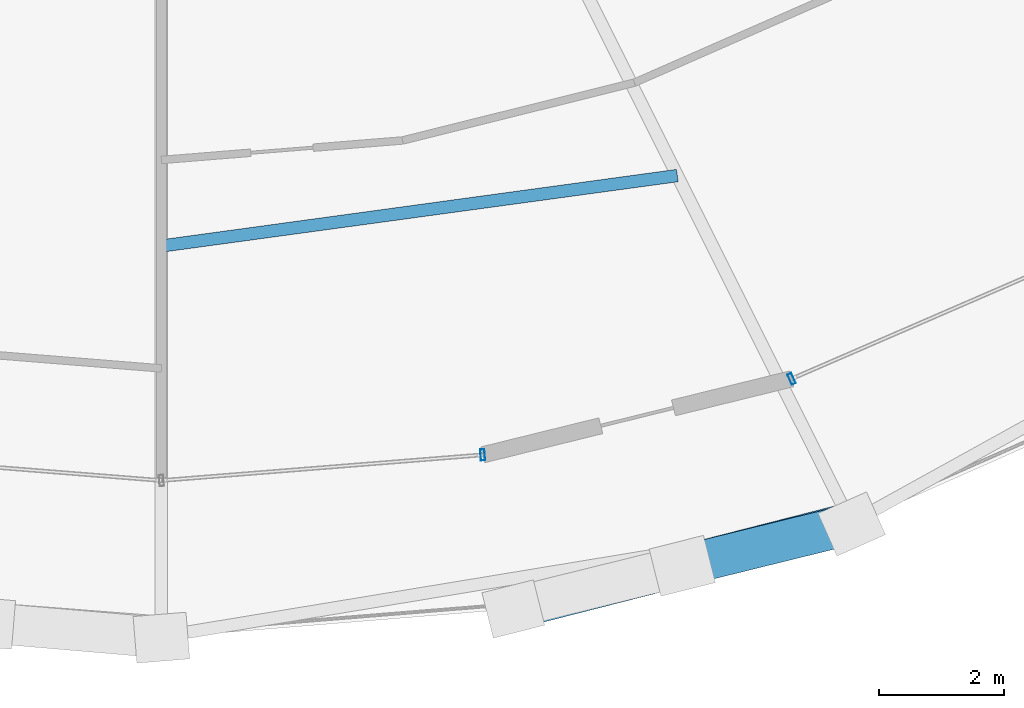
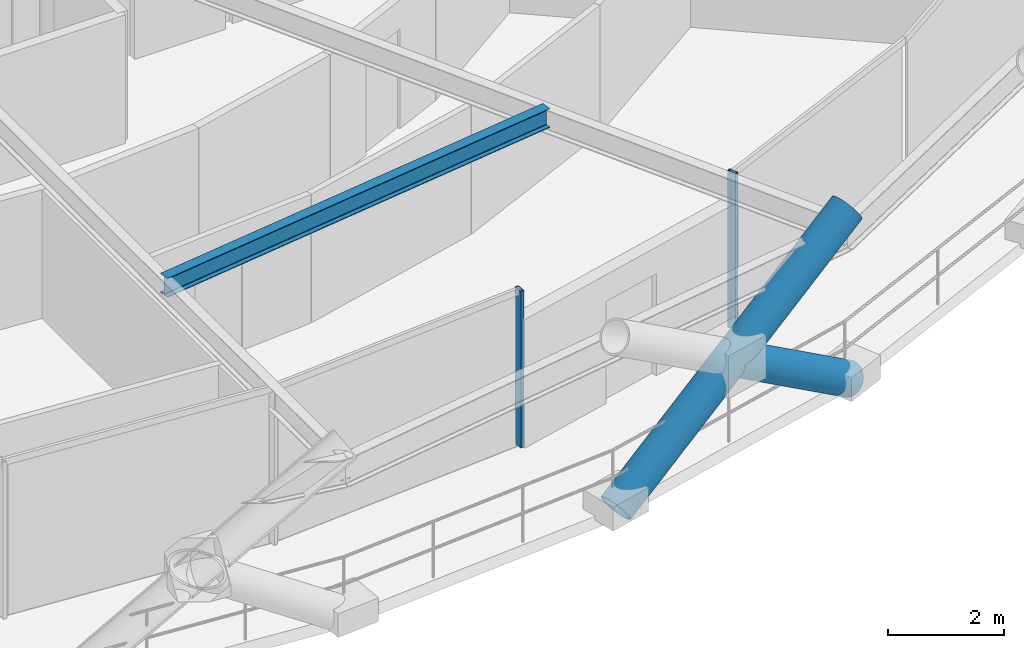
# One storey, part 5 of 21: 4 members, 1 beam, 2 elements without a shape of their own.
"""IFC4 building model written with IfcOpenShell, lengths in metres."""

from ifc_helpers import new_model, si_unit, direction, frame, origin, origin_2d, place, context, subcontext, project, spatial, hollow_rectangle, hollow_circle, i_section, extrude, material, layer, layer_set, material_profile, profile_set, type_object, element, aggregate, save


model = new_model("IFC4")

# Units and contexts
model_context = context("Model", 3, precision=1e-05, world=origin(), true_north=direction((0.0, 1.0)))
body_context = subcontext(model_context, "Body", "Model", "MODEL_VIEW")
ifc_project = project(units=[si_unit("LENGTHUNIT", "METRE"), si_unit("AREAUNIT", "SQUARE_METRE"), si_unit("VOLUMEUNIT", "CUBIC_METRE"), si_unit("PLANEANGLEUNIT", "RADIAN"), si_unit("MASSUNIT", "GRAM", prefix="KILO")], contexts=[model_context])

# Site, building, storey
site_placement = place(None, origin())
site = spatial("IfcSite", under=ifc_project, at=site_placement, CompositionType="ELEMENT")
building_placement = place(site_placement, origin())
building = spatial("IfcBuilding", under=site, at=building_placement, Name="Veldorina Hangang Commons", CompositionType="ELEMENT")
storey_placement = place(building_placement, frame((0.0, 0.0, 91.60009765625)))
storey = spatial("IfcBuildingStorey", under=building, at=storey_placement, Name="L23", CompositionType="ELEMENT", Elevation=91.60009765625)

# Beam
ifc_material_1 = material(Name="Steel SM355-TMC", Category="steel")
ifc_material_profile_1 = material_profile(ifc_material_1, i_section(OverallWidth=0.199951171875, OverallDepth=0.39990234375, WebThickness=0.008056640625, FlangeThickness=0.012939453125, FilletRadius=0.012939453125, at=origin_2d()), Name="H-400x200x8x13")
ifc_profile_set_1 = profile_set([ifc_material_profile_1], Name="Steel SM355-TMC")
beam_type = type_object("IfcBeamType", Name="BM-JST400", PredefinedType="JOIST", material=ifc_profile_set_1)
beam_placement = place(storey_placement, frame((32.0, 6.3349609375, 3.139892578125), z_axis=(0.990811117073, 0.13525283836, 0.0), x_axis=(-0.13525283836, 0.990811117073, 0.0)))
element("IfcBeam", 1, at=beam_placement, inside=storey, type_object=beam_type, Name="L23 secondary floor joist 13", PredefinedType="JOIST", context=body_context, shape_type="SweptSolid", body=[
    extrude(i_section(OverallWidth=0.199951171875, OverallDepth=0.39990234375, WebThickness=0.008056640625, FlangeThickness=0.012939453125, FilletRadius=0.012939453125, at=origin_2d()), origin(), (0.0, 0.0, 1.0), 8.348388671875),
])

# Curtain wall, member
ifc_material_2 = material(Name="Glass Low-E Triple IGU", Category="glass")
ifc_layer = layer(ifc_material_2, 0.179931640625)
ifc_layer_set = layer_set([ifc_layer], Name="Glass Low-E Triple IGU")
curtain_wall_type = type_object("IfcCurtainWallType", Name="CW-SYS-Z1", PredefinedType="NOTDEFINED", material=ifc_layer_set)
curtain_wall_1_placement = place(storey_placement, origin())
curtain_wall_1 = element("IfcCurtainWall", 2, at=curtain_wall_1_placement, inside=storey, type_object=curtain_wall_type, Name="L23 unitised curtain wall CW-L23-R1", PredefinedType="NOTDEFINED")
ifc_material_3 = material(Name="Aluminium Anodized AA6063-T6", Category="aluminium")
ifc_material_profile_2 = material_profile(ifc_material_3, hollow_rectangle(XDim=0.070068359375, YDim=0.179931640625, WallThickness=0.00390625, at=origin_2d()), Name="ALU-RHS-180x70x4")
ifc_profile_set_2 = profile_set([ifc_material_profile_2], Name="Aluminium Anodized AA6063-T6")
member_type_1 = type_object("IfcMemberType", Name="CW-MUL-180", PredefinedType="MULLION", material=ifc_profile_set_2)
member_1_placement = place(storey_placement, frame((37.150634765625, 2.98681640625, 0.0), z_axis=(0.0, 0.0, 1.0), x_axis=(-0.996820733877, -0.079677001159, 0.0)))
member_1 = element("IfcMember", 3, at=member_1_placement, type_object=member_type_1, Name="CW-L23-R1 vertical mullion 5", PredefinedType="MULLION", context=body_context, shape_type="SweptSolid", body=[
    extrude(hollow_rectangle(XDim=0.070068359375, YDim=0.179931640625, WallThickness=0.00390625, at=origin_2d()), origin(), (0.0, 0.0, 1.0), 3.2998046875),
])
aggregate(curtain_wall_1, [member_1])

curtain_wall_2_placement = place(storey_placement, origin())
curtain_wall_2 = element("IfcCurtainWall", 4, at=curtain_wall_2_placement, inside=storey, type_object=curtain_wall_type, Name="L23 unitised curtain wall CW-L23-R2", PredefinedType="NOTDEFINED")
member_2_placement = place(storey_placement, frame((42.103515625, 4.205810546875, 0.0), z_axis=(0.0, 0.0, 1.0), x_axis=(0.917414644732, 0.397932619462, 0.0)))
member_2 = element("IfcMember", 5, at=member_2_placement, type_object=member_type_1, Name="CW-L23-R2 vertical mullion 1", PredefinedType="MULLION", context=body_context, shape_type="SweptSolid", body=[
    extrude(hollow_rectangle(XDim=0.070068359375, YDim=0.179931640625, WallThickness=0.00390625, at=origin_2d()), origin(), (0.0, 0.0, 1.0), 3.2998046875),
])
aggregate(curtain_wall_2, [member_2])

# Members
ifc_material_4 = material(Name="Steel SM460-TMC", Category="steel")
ifc_material_profile_3 = material_profile(ifc_material_4, hollow_circle(Radius=0.324951171875, WallThickness=0.031982421875, at=origin_2d()), Name="CHS-650x32")
ifc_profile_set_3 = profile_set([ifc_material_profile_3], Name="Steel SM460-TMC")
member_type_2 = type_object("IfcMemberType", Name="DG-CHS650", PredefinedType="BRACE", material=ifc_profile_set_3)
member_3_placement = place(storey_placement, frame((37.642333984375, 0.51513671875, 0.0), z_axis=(0.814438708095, 0.208164539003, 0.541624515193), x_axis=(-0.247631993552, 0.96885416641, 0.0)))
element("IfcMember", 6, at=member_3_placement, inside=storey, type_object=member_type_2, Name="L23 continuous perimeter diagrid brace 25", PredefinedType="BRACE", context=body_context, shape_type="SweptSolid", body=[
    extrude(hollow_circle(Radius=0.324951171875, WallThickness=0.031982421875, at=origin_2d()), origin(), (0.0, 0.0, 1.0), 6.646484375),
])
member_4_placement = place(storey_placement, frame((43.06787109375, 1.877685546875, 0.0), z_axis=(-0.816504683464, -0.201430407043, 0.541059971722), x_axis=(0.239517522775, -0.970892041518, 0.0)))
element("IfcMember", 7, at=member_4_placement, inside=storey, type_object=member_type_2, Name="L23 split perimeter diagrid lower brace 26", PredefinedType="BRACE", context=body_context, shape_type="SweptSolid", body=[
    extrude(hollow_circle(Radius=0.324951171875, WallThickness=0.031982421875, at=origin_2d()), origin(), (0.0, 0.0, 1.0), 3.328125),
])

save(model, "model.ifc")
